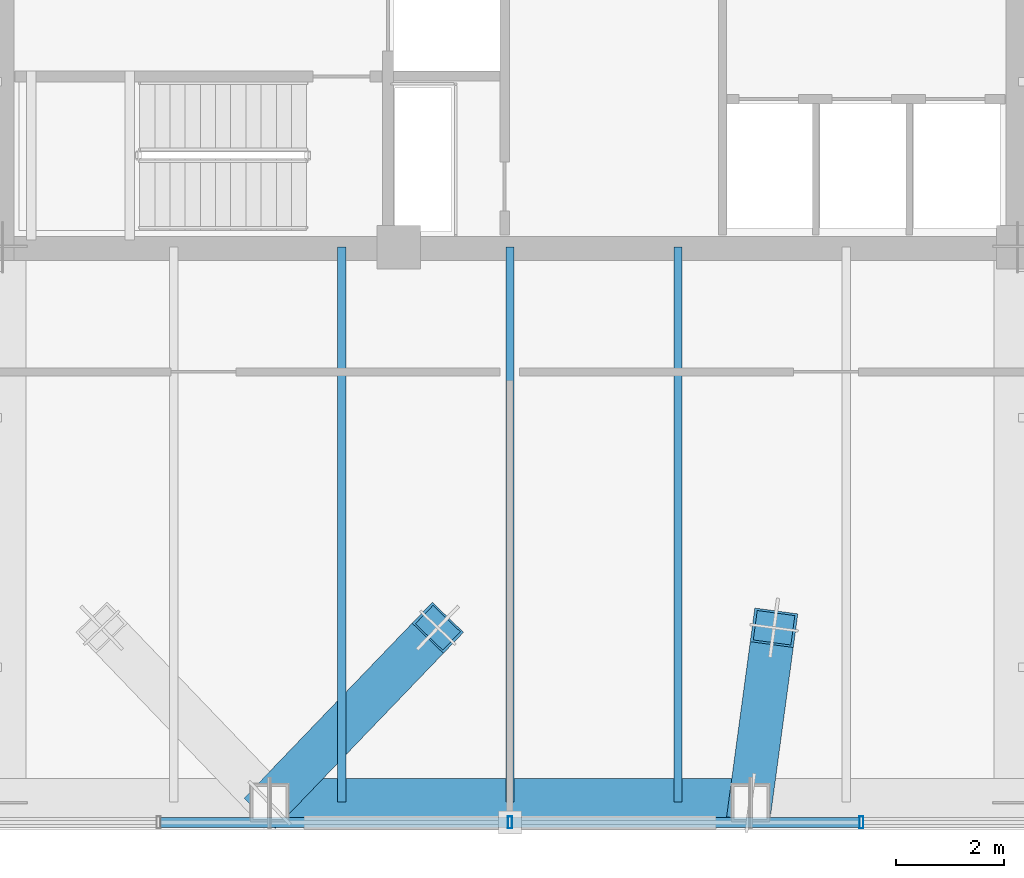
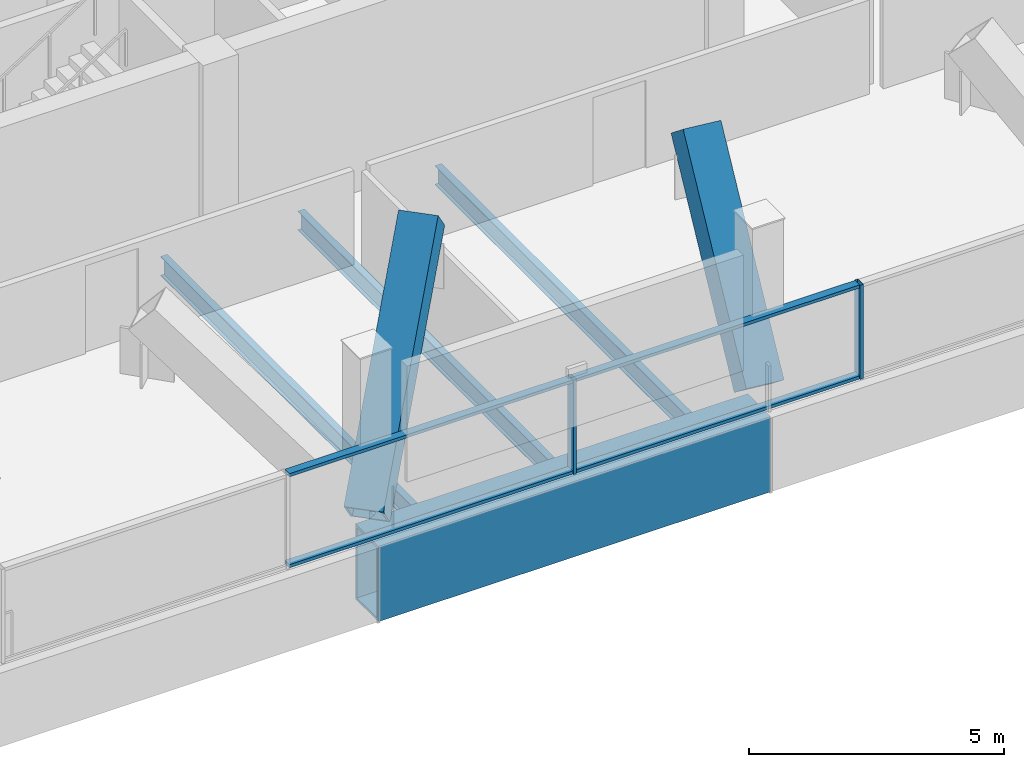
# One storey, part 4 of 19: 8 members, 4 beams, 1 element without a shape of its own.
"""IFC4 building model written with IfcOpenShell, lengths in metres."""

import ifcopenshell
import ifcopenshell.guid

model = None  # the IFC model being written
_history = None  # IfcOwnerHistory: only IFC2X3 demands one
_inside = {}  # id of a spatial element -> (the spatial element, [elements in it])
_under = {}  # id of a project, library or spatial element -> (it, [spatial elements below it])
_declared = {}  # id of a project -> (the project, [libraries it declares])
_typed = {}  # id of a type object -> (the type object, [elements of that type])
_made_of = {}  # id of a material, layer set ... -> (it, [elements and type objects made of it])


def new_model(schema):
    """Start an empty IFC model of exactly this schema.

    Asked for "IFC4X3", IfcOpenShell would pick the latest addendum, in which some entities
    have other attributes; the version numbers below select the first issue.
    IFC2X3 requires an IfcOwnerHistory on every rooted entity: one is made here for all.
    """
    global model, _history
    if schema == "IFC4X3":
        model = ifcopenshell.file(schema_version=(4, 3, 0, 0))
    else:
        model = ifcopenshell.file(schema=schema)
    _inside.clear()
    _under.clear()
    _declared.clear()
    _typed.clear()
    _made_of.clear()
    _history = None
    if model.schema == "IFC2X3":
        org = make("IfcOrganization", Name="unknown")
        user = make(
            "IfcPersonAndOrganization",
            ThePerson=make("IfcPerson", FamilyName="unknown"),
            TheOrganization=org,
        )
        app = make(
            "IfcApplication",
            ApplicationDeveloper=org,
            Version="unknown",
            ApplicationFullName="unknown",
            ApplicationIdentifier="unknown",
        )
        _history = make(
            "IfcOwnerHistory",
            OwningUser=user,
            OwningApplication=app,
            ChangeAction="ADDED",
            CreationDate=0,
        )
    return model


def make(cls, **values):
    """One entity of the class cls with the attributes given. An attribute that is None is left unset."""
    return model.create_entity(
        cls, **{name: value for name, value in values.items() if value is not None}
    )


def rooted(cls, **values):
    """An entity with a GlobalId (a new one), such as an element, a storey or a relation."""
    return make(cls, GlobalId=ifcopenshell.guid.new(), OwnerHistory=_history, **values)


def si_unit(unit_type, name, prefix=None):
    """IfcSIUnit, for example si_unit("LENGTHUNIT", "METRE", prefix="MILLI")."""
    return make("IfcSIUnit", UnitType=unit_type, Prefix=prefix, Name=name)


def assignment(units):
    """IfcUnitAssignment: the units of a project."""
    return None if units is None else make("IfcUnitAssignment", Units=units)


def point(xyz):
    """IfcCartesianPoint."""
    return None if xyz is None else make("IfcCartesianPoint", Coordinates=xyz)


def direction(xyz):
    """IfcDirection."""
    return None if xyz is None else make("IfcDirection", DirectionRatios=xyz)


def frame(location, z_axis=None, x_axis=None):
    """IfcAxis2Placement3D, a coordinate frame: its origin and axes. An axis left out is left unset."""
    return make(
        "IfcAxis2Placement3D",
        Location=point(location),
        Axis=direction(z_axis),
        RefDirection=direction(x_axis),
    )


def frame_2d(location, x_axis=None):
    """IfcAxis2Placement2D, a coordinate frame in the plane: its origin and x axis."""
    return make(
        "IfcAxis2Placement2D", Location=point(location), RefDirection=direction(x_axis)
    )


def origin():
    """The frame at (0, 0, 0) with its axes left unset."""
    return frame((0.0, 0.0, 0.0))


def origin_2d():
    """The frame at (0, 0) in the plane with its x axis left unset."""
    return frame_2d((0.0, 0.0))


def place(relative_to, where):
    """IfcLocalPlacement: puts the frame where relative to a parent placement (None: the world)."""
    return make(
        "IfcLocalPlacement", PlacementRelTo=relative_to, RelativePlacement=where
    )


def context(
    kind, dimensions, precision=None, world=None, true_north=None, identifier=None
):
    """IfcGeometricRepresentationContext, for example the 3D "Model" context."""
    return make(
        "IfcGeometricRepresentationContext",
        ContextIdentifier=identifier,
        ContextType=kind,
        CoordinateSpaceDimension=dimensions,
        Precision=precision,
        WorldCoordinateSystem=world,
        TrueNorth=true_north,
    )


def subcontext(parent, identifier, kind, view, scale=None):
    """IfcGeometricRepresentationSubContext, for example "Body" below "Model"."""
    return make(
        "IfcGeometricRepresentationSubContext",
        ContextIdentifier=identifier,
        ContextType=kind,
        ParentContext=parent,
        TargetScale=scale,
        TargetView=view,
    )


def project(units=None, contexts=None):
    """IfcProject with its units and contexts."""
    return rooted(
        "IfcProject",
        Name="project",
        RepresentationContexts=contexts,
        UnitsInContext=assignment(units),
    )


def spatial(cls, under=None, at=None, **own):
    """A site, building, storey or space (cls), placed at a placement, below another one or the project."""
    s = rooted(cls, ObjectPlacement=at, **own)
    if under is not None:
        _under.setdefault(under.id(), (under, []))[1].append(s)
    return s


def profile(cls, at=None, kind="AREA", **sizes):
    """A parametric profile (cls). Its sizes go by their IFC names, for example OverallWidth=200.0."""
    return make(cls, ProfileType=kind, Position=at, **sizes)


def hollow_rectangle(**sizes):
    """IfcRectangleHollowProfileDef."""
    return profile("IfcRectangleHollowProfileDef", **sizes)


def i_section(**sizes):
    """IfcIShapeProfileDef."""
    return profile("IfcIShapeProfileDef", **sizes)


def extrude(swept, where, along, depth):
    """IfcExtrudedAreaSolid: the profile swept, set in the frame where, extruded along a direction by depth."""
    return make(
        "IfcExtrudedAreaSolid",
        SweptArea=swept,
        Position=where,
        ExtrudedDirection=direction(along),
        Depth=depth,
    )


def shape(context_of_items, identifier, shape_type, items):
    """IfcShapeRepresentation: the items that make up one representation, for example the "Body"."""
    return make(
        "IfcShapeRepresentation",
        ContextOfItems=context_of_items,
        RepresentationIdentifier=identifier,
        RepresentationType=shape_type,
        Items=items,
    )


def material(Name=None, Category=None):
    """IfcMaterial."""
    return make("IfcMaterial", Name=Name, Category=Category)


def layer(
    of_material, thickness, ventilated=None, Name=None, Category=None, Priority=None
):
    """IfcMaterialLayer: one layer of a wall or slab, of a material (None: an air gap)."""
    return make(
        "IfcMaterialLayer",
        Material=of_material,
        LayerThickness=thickness,
        IsVentilated=ventilated,
        Name=Name,
        Category=Category,
        Priority=Priority,
    )


def layer_set(layers, Name=None):
    """IfcMaterialLayerSet."""
    return make("IfcMaterialLayerSet", MaterialLayers=layers, LayerSetName=Name)


def material_profile(
    of_material, cross_section, Name=None, Category=None, Priority=None
):
    """IfcMaterialProfile: a cross section and its material."""
    return make(
        "IfcMaterialProfile",
        Name=Name,
        Material=of_material,
        Profile=cross_section,
        Priority=Priority,
        Category=Category,
    )


def profile_set(profiles, Name=None, composite=None):
    """IfcMaterialProfileSet."""
    return make(
        "IfcMaterialProfileSet",
        Name=Name,
        MaterialProfiles=profiles,
        CompositeProfile=composite,
    )


def made_of(thing, what):
    """Note that an element or type object is made of a material, layer set ...; save() writes the relation."""
    if what is not None:
        _made_of.setdefault(what.id(), (what, []))[1].append(thing)
    return thing


def type_object(cls, material=None, **own):
    """A type object (cls), such as IfcWallType, which elements share."""
    return made_of(rooted(cls, **own), material)


def element(
    cls,
    number,
    at=None,
    inside=None,
    cuts=None,
    type_object=None,
    material=None,
    context=None,
    identifier="Body",
    shape_type=None,
    held_by="IfcProductDefinitionShape",
    body=None,
    shapes=None,
    **own,
):
    """One element of the class cls, such as IfcWall. Its Tag is "e" and its number.

    at: its placement. inside: the storey or other place that contains it. cuts: it is an
    opening in that element (IfcRelVoidsElement). A single representation is given by context,
    identifier, shape_type and body (its items); several are given by shapes. held_by: the class
    of the entity that holds the representations. save() writes the other relations.
    """
    e = rooted(cls, Tag="e%d" % number, ObjectPlacement=at, **own)
    if body is not None:
        shapes = [shape(context, identifier, shape_type, body)]
    if shapes is not None:
        e.Representation = make(held_by, Representations=shapes)
    if inside is not None:
        _inside.setdefault(inside.id(), (inside, []))[1].append(e)
    if cuts is not None:
        rooted(
            "IfcRelVoidsElement", RelatingBuildingElement=cuts, RelatedOpeningElement=e
        )
    if type_object is not None:
        _typed.setdefault(type_object.id(), (type_object, []))[1].append(e)
    return made_of(e, material)


def aggregate(whole, parts):
    """IfcRelAggregates: a whole, such as a stair, and the parts it consists of."""
    return rooted("IfcRelAggregates", RelatingObject=whole, RelatedObjects=parts)


def save(model, path):
    """Write the relations noted so far, then the file.

    IfcRelAggregates (storeys below a building ...), IfcRelContainedInSpatialStructure (elements
    in a storey), IfcRelDefinesByType, IfcRelAssociatesMaterial and IfcRelDeclares: one each for
    every whole, place, type object, material and project.
    """
    for whole, parts in _under.values():
        aggregate(whole, parts)
    for where, things in _inside.values():
        rooted(
            "IfcRelContainedInSpatialStructure",
            RelatedElements=things,
            RelatingStructure=where,
        )
    for kind, things in _typed.values():
        rooted("IfcRelDefinesByType", RelatedObjects=things, RelatingType=kind)
    for what, things in _made_of.values():
        rooted("IfcRelAssociatesMaterial", RelatedObjects=things, RelatingMaterial=what)
    for by, libraries in _declared.values():
        rooted("IfcRelDeclares", RelatingContext=by, RelatedDefinitions=libraries)
    model.write(path)


model = new_model("IFC4")

# Units and contexts
model_context = context("Model", 3, precision=1e-05, world=origin(), true_north=direction((0.0, 1.0)))
body_context = subcontext(model_context, "Body", "Model", "MODEL_VIEW")
ifc_project = project(units=[si_unit("LENGTHUNIT", "METRE"), si_unit("AREAUNIT", "SQUARE_METRE"), si_unit("VOLUMEUNIT", "CUBIC_METRE"), si_unit("PLANEANGLEUNIT", "RADIAN"), si_unit("MASSUNIT", "GRAM", prefix="KILO")], contexts=[model_context])

# Site, building, storey
site_placement = place(None, origin())
site = spatial("IfcSite", under=ifc_project, at=site_placement, CompositionType="ELEMENT")
building_placement = place(site_placement, origin())
building = spatial("IfcBuilding", under=site, at=building_placement, Name="Qhalaya Broadcast Tower", CompositionType="ELEMENT")
storey_placement = place(building_placement, frame((0.0, 0.0, 226.949951171875)))
storey = spatial("IfcBuildingStorey", under=building, at=storey_placement, Name="L67", CompositionType="ELEMENT", Elevation=226.949951171875)

# Beams
ifc_material_1 = material(Name="Structural Steel ASTM A572 Grade 50", Category="steel")
ifc_material_profile_1 = material_profile(ifc_material_1, hollow_rectangle(XDim=0.89990234375, YDim=1.800048828125, WallThickness=0.06005859375, at=origin_2d()), Name="BOX 900x1800x60")
ifc_profile_set_1 = profile_set([ifc_material_profile_1], Name="Structural Steel ASTM A572 Grade 50")
beam_type_1 = type_object("IfcBeamType", Name="Block Cantilever Transfer Box Girder TG1", PredefinedType="USERDEFINED", material=ifc_profile_set_1)
beam_placement = place(storey_placement, frame((-4.433349609375, -19.0, -1.08984375), z_axis=(1.0, 0.0, 0.0), x_axis=(0.0, 1.0, 0.0)))
element("IfcBeam", 1, at=beam_placement, inside=storey, type_object=beam_type_1, Name="L67 TG1 L67-SPR-02", ObjectType="GIRDER", PredefinedType="USERDEFINED", context=body_context, shape_type="SweptSolid", body=[
    extrude(hollow_rectangle(XDim=0.89990234375, YDim=1.800048828125, WallThickness=0.06005859375, at=origin_2d()), origin(), (0.0, 0.0, 1.0), 8.86669921875),
])
ifc_material_2 = material(Name="Structural Steel ASTM A992 Grade 50", Category="steel")
ifc_material_profile_2 = material_profile(ifc_material_2, i_section(OverallWidth=0.154052734375, OverallDepth=0.458984375, WebThickness=0.009033203125, FlangeThickness=0.015380859375, at=origin_2d()), Name="W18X46")
ifc_profile_set_2 = profile_set([ifc_material_profile_2], Name="Structural Steel ASTM A992 Grade 50")
beam_type_2 = type_object("IfcBeamType", Name="Composite Floor Joist J04", PredefinedType="JOIST", material=ifc_profile_set_2)
for number, where, z_axis, x_axis, name in (
    (2, (-3.10009765625, -18.97998046875, -0.41943359375), (0.0, 1.0, 0.0), (-1.0, 0.0, 0.0), "L67 J04 L67-JNS2-1"),
    (3, (0.0, -18.97998046875, -0.41943359375), (0.0, 1.0, 0.0), (-1.0, 0.0, 0.0), "L67 J04 L67-JNS3-1"),
    (4, (3.10009765625, -18.97998046875, -0.41943359375), (0.0, 1.0, 0.0), (-1.0, 0.0, 0.0), "L67 J04 L67-JNS4-1"),
):
    element("IfcBeam", number, at=place(storey_placement, frame(where, z_axis=z_axis, x_axis=x_axis)), inside=storey, type_object=beam_type_2, Name=name, PredefinedType="JOIST", context=body_context, shape_type="SweptSolid", body=[
        extrude(i_section(OverallWidth=0.154052734375, OverallDepth=0.458984375, WebThickness=0.009033203125, FlangeThickness=0.015380859375, at=origin_2d()), origin(), (0.0, 0.0, 1.0), 10.22998046875),
    ])

# Curtain wall, members
ifc_material_3 = material(Name="Fired Architectural Terracotta", Category="masonry")
ifc_layer = layer(ifc_material_3, 0.219970703125, Name="Fired Architectural Terracotta")
ifc_layer_set = layer_set([ifc_layer], Name="Fired Architectural Terracotta")
curtain_wall_type = type_object("IfcCurtainWallType", Name="Block-Cap Unitised Terracotta Spandrel Wall CW-07", PredefinedType="NOTDEFINED", material=ifc_layer_set)
curtain_wall_placement = place(storey_placement, origin())
curtain_wall = element("IfcCurtainWall", 5, at=curtain_wall_placement, inside=storey, type_object=curtain_wall_type, Name="L67 Unitised Curtain Wall L67-CW-S", PredefinedType="NOTDEFINED")
ifc_material_4 = material(Name="Anodised Aluminium 6063-T6", Category="aluminium")
ifc_material_profile_3 = material_profile(ifc_material_4, hollow_rectangle(XDim=0.074951171875, YDim=0.219970703125, WallThickness=0.00390625, at=origin_2d()), Name="ALU-MUL 75x220x4")
ifc_profile_set_3 = profile_set([ifc_material_profile_3], Name="Anodised Aluminium 6063-T6")
member_type_1 = type_object("IfcMemberType", Name="Unitised Curtain-Wall Mullion M01", PredefinedType="MULLION", material=ifc_profile_set_3)
member_1_placement = place(storey_placement, frame((6.48095703125, -19.360107421875, 0.0), z_axis=(0.0, 0.0, 1.0), x_axis=(-1.0, 0.0, 0.0)))
member_1 = element("IfcMember", 6, at=member_1_placement, type_object=member_type_1, Name="CW-07 mullion 2", PredefinedType="MULLION", context=body_context, shape_type="SweptSolid", body=[
    extrude(hollow_rectangle(XDim=0.074951171875, YDim=0.219970703125, WallThickness=0.00390625, at=origin_2d()), origin(), (0.0, 0.0, 1.0), 2.25),
])
member_2_placement = place(storey_placement, frame((0.0, -19.360107421875, 0.0), z_axis=(0.0, 0.0, 1.0), x_axis=(-1.0, 0.0, 0.0)))
member_2 = element("IfcMember", 7, at=member_2_placement, type_object=member_type_1, Name="CW-07 mullion 3", PredefinedType="MULLION", context=body_context, shape_type="SweptSolid", body=[
    extrude(hollow_rectangle(XDim=0.074951171875, YDim=0.219970703125, WallThickness=0.00390625, at=origin_2d()), origin(), (0.0, 0.0, 1.0), 2.25),
])
ifc_material_profile_4 = material_profile(ifc_material_4, hollow_rectangle(XDim=0.074951171875, YDim=0.179931640625, WallThickness=0.00390625, at=origin_2d()), Name="ALU-TRN 75x180x4")
ifc_profile_set_4 = profile_set([ifc_material_profile_4], Name="Anodised Aluminium 6063-T6")
member_type_2 = type_object("IfcMemberType", Name="Unitised Curtain-Wall Transom T01", PredefinedType="USERDEFINED", material=ifc_profile_set_4)
member_3_placement = place(storey_placement, frame((6.443603515625, -19.360107421875, 0.03759765625), z_axis=(-1.0, 0.0, 0.0), x_axis=(0.0, 0.0, 1.0)))
member_3 = element("IfcMember", 8, at=member_3_placement, type_object=member_type_2, Name="CW-07 transom 2.1", ObjectType="TRANSOM", PredefinedType="USERDEFINED", context=body_context, shape_type="SweptSolid", body=[
    extrude(hollow_rectangle(XDim=0.074951171875, YDim=0.179931640625, WallThickness=0.00390625, at=origin_2d()), origin(), (0.0, 0.0, 1.0), 6.406005859375),
])
member_4_placement = place(storey_placement, frame((6.443603515625, -19.360107421875, 2.212646484375), z_axis=(-1.0, 0.0, 0.0), x_axis=(0.0, 0.0, 1.0)))
member_4 = element("IfcMember", 9, at=member_4_placement, type_object=member_type_2, Name="CW-07 transom 2.2", ObjectType="TRANSOM", PredefinedType="USERDEFINED", context=body_context, shape_type="SweptSolid", body=[
    extrude(hollow_rectangle(XDim=0.074951171875, YDim=0.179931640625, WallThickness=0.00390625, at=origin_2d()), origin(), (0.0, 0.0, 1.0), 6.406005859375),
])
member_5_placement = place(storey_placement, frame((-0.03759765625, -19.360107421875, 0.03759765625), z_axis=(-1.0, 0.0, 0.0), x_axis=(0.0, 0.0, 1.0)))
member_5 = element("IfcMember", 10, at=member_5_placement, type_object=member_type_2, Name="CW-07 transom 3.1", ObjectType="TRANSOM", PredefinedType="USERDEFINED", context=body_context, shape_type="SweptSolid", body=[
    extrude(hollow_rectangle(XDim=0.074951171875, YDim=0.179931640625, WallThickness=0.00390625, at=origin_2d()), origin(), (0.0, 0.0, 1.0), 6.406005859375),
])
member_6_placement = place(storey_placement, frame((-0.03759765625, -19.360107421875, 2.212646484375), z_axis=(-1.0, 0.0, 0.0), x_axis=(0.0, 0.0, 1.0)))
member_6 = element("IfcMember", 11, at=member_6_placement, type_object=member_type_2, Name="CW-07 transom 3.2", ObjectType="TRANSOM", PredefinedType="USERDEFINED", context=body_context, shape_type="SweptSolid", body=[
    extrude(hollow_rectangle(XDim=0.074951171875, YDim=0.179931640625, WallThickness=0.00390625, at=origin_2d()), origin(), (0.0, 0.0, 1.0), 6.406005859375),
])
aggregate(curtain_wall, [member_1, member_2, member_3, member_4, member_5, member_6])

# Members
ifc_material_profile_5 = material_profile(ifc_material_1, hollow_rectangle(XDim=0.800048828125, YDim=0.800048828125, WallThickness=0.050048828125, at=origin_2d()), Name="BOX 800x800x50")
ifc_profile_set_5 = profile_set([ifc_material_profile_5], Name="Structural Steel ASTM A572 Grade 50")
member_type_3 = type_object("IfcMemberType", Name="Upper Exoskeleton Transfer Strut RK2", PredefinedType="BRACE", material=ifc_profile_set_5)
member_7_placement = place(storey_placement, frame((-4.433349609375, -19.0, 0.306884765625), z_axis=(0.514287093034, 0.535285834382, 0.670058103039), x_axis=(-0.721109515745, 0.692821092565, 0.0)))
element("IfcMember", 12, at=member_7_placement, inside=storey, type_object=member_type_3, Name="L67 Inclined Exoskeleton Transfer Strut 02", PredefinedType="BRACE", context=body_context, shape_type="SweptSolid", body=[
    extrude(hollow_rectangle(XDim=0.800048828125, YDim=0.800048828125, WallThickness=0.050048828125, at=origin_2d()), origin(), (0.0, 0.0, 1.0), 6.0341796875),
])
member_8_placement = place(storey_placement, frame((4.433349609375, -19.0, 0.25927734375), z_axis=(0.08350364581, 0.617525564043, 0.782105695472), x_axis=(-0.990980874086, 0.134003385014, 0.0)))
element("IfcMember", 13, at=member_8_placement, inside=storey, type_object=member_type_3, Name="L67 Inclined Exoskeleton Transfer Strut 03", PredefinedType="BRACE", context=body_context, shape_type="SweptSolid", body=[
    extrude(hollow_rectangle(XDim=0.800048828125, YDim=0.800048828125, WallThickness=0.050048828125, at=origin_2d()), origin(), (0.0, 0.0, 1.0), 5.23046875),
])

save(model, "model.ifc")
